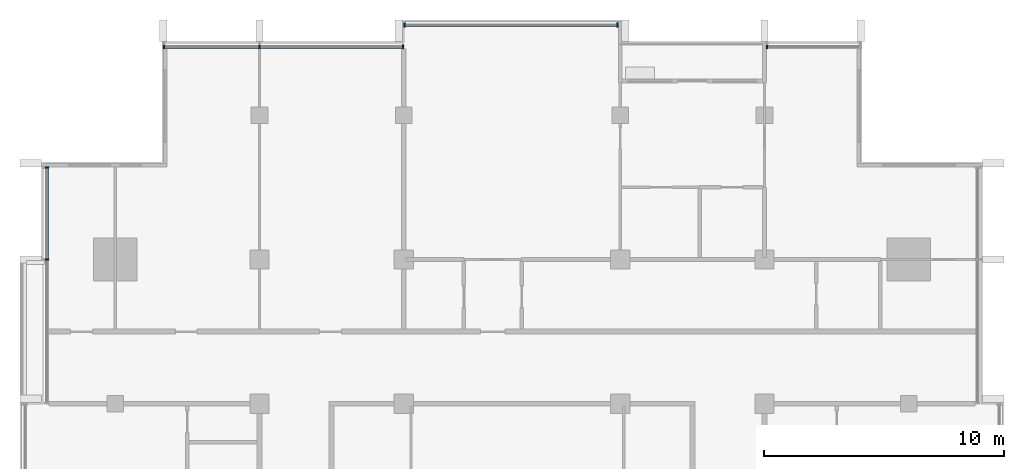
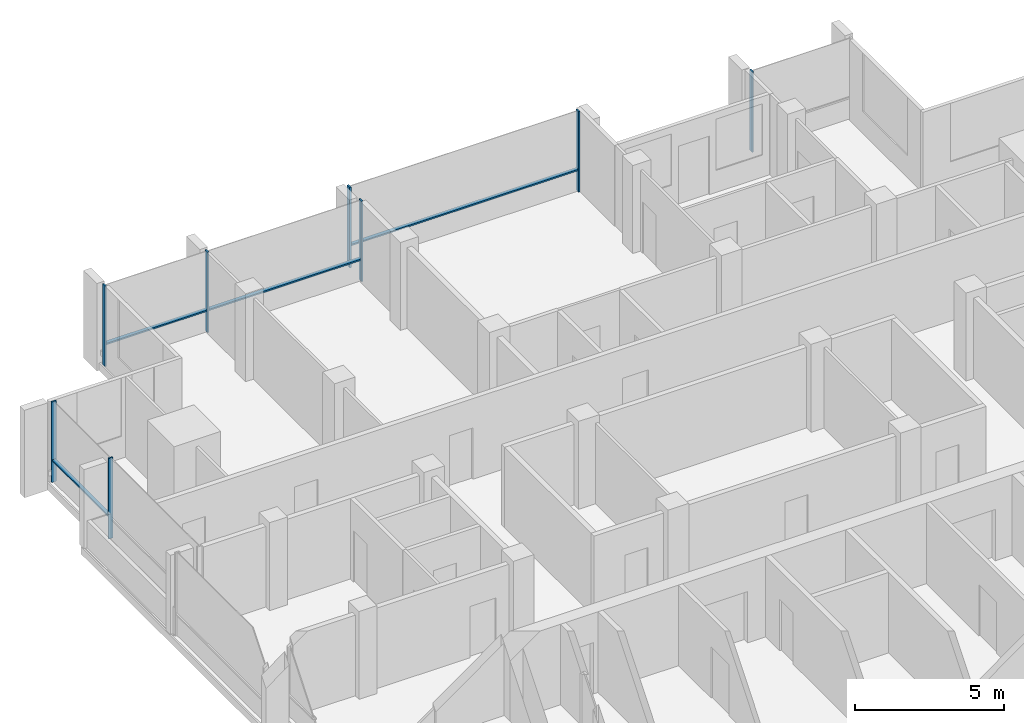
# One storey, part 4 of 16: 12 members, 4 elements without a shape of their own.
"""IFC4 building model written with IfcOpenShell, lengths in metres."""

from ifc_helpers import new_model, si_unit, direction, frame, origin, origin_2d, place, context, subcontext, project, spatial, rectangle, extrude, material, material_profile, profile_set, type_object, element, aggregate, save


model = new_model("IFC4")

# Units and contexts
model_context = context("Model", 3, precision=1e-05, world=origin(), true_north=direction((0.0, 1.0)))
body_context = subcontext(model_context, "Body", "Model", "MODEL_VIEW")
ifc_project = project(units=[si_unit("LENGTHUNIT", "METRE"), si_unit("AREAUNIT", "SQUARE_METRE"), si_unit("VOLUMEUNIT", "CUBIC_METRE"), si_unit("PLANEANGLEUNIT", "RADIAN"), si_unit("MASSUNIT", "GRAM", prefix="KILO")], contexts=[model_context])

# Site, building, storey
site_placement = place(None, origin())
site = spatial("IfcSite", under=ifc_project, at=site_placement, CompositionType="ELEMENT")
building_placement = place(site_placement, origin())
building = spatial("IfcBuilding", under=site, at=building_placement, Name="Finial Court Residences", CompositionType="ELEMENT")
storey_placement = place(building_placement, frame((0.0, 0.0, 262.699951171875)))
storey = spatial("IfcBuildingStorey", under=building, at=storey_placement, Name="L66", CompositionType="ELEMENT", Elevation=262.699951171875)

# Curtain wall, members
ifc_material = material(Name="Bronze anodised aluminium", Category="aluminium")
curtain_wall_type = type_object("IfcCurtainWallType", Name="Unitised curtain wall, upper zones", PredefinedType="NOTDEFINED", material=ifc_material)
curtain_wall_1_placement = place(storey_placement, origin())
curtain_wall_1 = element("IfcCurtainWall", 1, at=curtain_wall_1_placement, inside=storey, type_object=curtain_wall_type, Name="E-L66-CW-N1", PredefinedType="NOTDEFINED")
ifc_material_profile_1 = material_profile(ifc_material, rectangle(XDim=0.175048828125, YDim=0.06005859375, at=origin_2d()), Name="CW2 mullion 60 x 175")
ifc_profile_set_1 = profile_set([ifc_material_profile_1], Name="Bronze anodised aluminium")
member_type_1 = type_object("IfcMemberType", Name="CW2 mullion 60 x 175", PredefinedType="MULLION", material=ifc_profile_set_1)
member_1_placement = place(storey_placement, frame((-14.469970703125, 16.35009765625, 0.0), z_axis=(0.0, 0.0, 1.0), x_axis=(0.0, 1.0, 0.0)))
member_1 = element("IfcMember", 2, at=member_1_placement, type_object=member_type_1, Name="CW2 mullion 1", PredefinedType="MULLION", context=body_context, shape_type="SweptSolid", body=[
    extrude(rectangle(XDim=0.175048828125, YDim=0.06005859375, at=origin_2d()), origin(), (0.0, 0.0, 1.0), 3.300048828125),
])
member_2_placement = place(storey_placement, frame((-10.5, 16.35009765625, 0.0), z_axis=(0.0, 0.0, 1.0), x_axis=(0.0, 1.0, 0.0)))
member_2 = element("IfcMember", 3, at=member_2_placement, type_object=member_type_1, Name="CW2 mullion 2", PredefinedType="MULLION", context=body_context, shape_type="SweptSolid", body=[
    extrude(rectangle(XDim=0.175048828125, YDim=0.06005859375, at=origin_2d()), origin(), (0.0, 0.0, 1.0), 3.300048828125),
])
member_3_placement = place(storey_placement, frame((-4.530029296875, 16.35009765625, 0.0), z_axis=(0.0, 0.0, 1.0), x_axis=(0.0, 1.0, 0.0)))
member_3 = element("IfcMember", 4, at=member_3_placement, type_object=member_type_1, Name="CW2 mullion 3", PredefinedType="MULLION", context=body_context, shape_type="SweptSolid", body=[
    extrude(rectangle(XDim=0.175048828125, YDim=0.06005859375, at=origin_2d()), origin(), (0.0, 0.0, 1.0), 3.300048828125),
])

curtain_wall_2_placement = place(storey_placement, origin())
curtain_wall_2 = element("IfcCurtainWall", 5, at=curtain_wall_2_placement, inside=storey, type_object=curtain_wall_type, Name="E-L66-CW-N2", PredefinedType="NOTDEFINED")
member_4_placement = place(storey_placement, frame((-4.469970703125, 17.25, 0.0), z_axis=(0.0, 0.0, 1.0), x_axis=(0.0, 1.0, 0.0)))
member_4 = element("IfcMember", 6, at=member_4_placement, type_object=member_type_1, Name="CW2 mullion 1", PredefinedType="MULLION", context=body_context, shape_type="SweptSolid", body=[
    extrude(rectangle(XDim=0.175048828125, YDim=0.06005859375, at=origin_2d()), origin(), (0.0, 0.0, 1.0), 3.300048828125),
])
member_5_placement = place(storey_placement, frame((4.39501953125, 17.25, 0.0), z_axis=(0.0, 0.0, 1.0), x_axis=(0.0, 1.0, 0.0)))
member_5 = element("IfcMember", 7, at=member_5_placement, type_object=member_type_1, Name="CW2 mullion 2", PredefinedType="MULLION", context=body_context, shape_type="SweptSolid", body=[
    extrude(rectangle(XDim=0.175048828125, YDim=0.06005859375, at=origin_2d()), origin(), (0.0, 0.0, 1.0), 3.300048828125),
])

# Curtain wall, member
curtain_wall_3_placement = place(storey_placement, origin())
curtain_wall_3 = element("IfcCurtainWall", 8, at=curtain_wall_3_placement, inside=storey, type_object=curtain_wall_type, Name="E-L66-CW-N3", PredefinedType="NOTDEFINED")
member_6_placement = place(storey_placement, frame((10.60498046875, 16.35009765625, 0.0), z_axis=(0.0, 0.0, 1.0), x_axis=(0.0, 1.0, 0.0)))
member_6 = element("IfcMember", 9, at=member_6_placement, type_object=member_type_1, Name="CW2 mullion 1", PredefinedType="MULLION", context=body_context, shape_type="SweptSolid", body=[
    extrude(rectangle(XDim=0.175048828125, YDim=0.06005859375, at=origin_2d()), origin(), (0.0, 0.0, 1.0), 3.300048828125),
])
aggregate(curtain_wall_3, [member_6])

# Curtain wall, members
curtain_wall_4_placement = place(storey_placement, origin())
curtain_wall_4 = element("IfcCurtainWall", 10, at=curtain_wall_4_placement, inside=storey, type_object=curtain_wall_type, Name="E-L66-CW-W11", PredefinedType="NOTDEFINED")
member_7_placement = place(storey_placement, frame((-19.35009765625, 7.5, 0.0), z_axis=(0.0, 0.0, 1.0), x_axis=(-1.0, 0.0, 0.0)))
member_7 = element("IfcMember", 11, at=member_7_placement, type_object=member_type_1, Name="CW2 mullion 2", PredefinedType="MULLION", context=body_context, shape_type="SweptSolid", body=[
    extrude(rectangle(XDim=0.175048828125, YDim=0.06005859375, at=origin_2d()), origin(), (0.0, 0.0, 1.0), 3.300048828125),
])
member_8_placement = place(storey_placement, frame((-19.35009765625, 11.320068359375, 0.0), z_axis=(0.0, 0.0, 1.0), x_axis=(-1.0, 0.0, 0.0)))
member_8 = element("IfcMember", 12, at=member_8_placement, type_object=member_type_1, Name="CW2 mullion 3", PredefinedType="MULLION", context=body_context, shape_type="SweptSolid", body=[
    extrude(rectangle(XDim=0.175048828125, YDim=0.06005859375, at=origin_2d()), origin(), (0.0, 0.0, 1.0), 3.300048828125),
])

# Member
ifc_material_profile_2 = material_profile(ifc_material, rectangle(XDim=0.139892578125, YDim=0.06005859375, at=origin_2d()), Name="CW2 transom 60 x 140")
ifc_profile_set_2 = profile_set([ifc_material_profile_2], Name="Bronze anodised aluminium")
member_type_2 = type_object("IfcMemberType", Name="CW2 transom 60 x 140", PredefinedType="USERDEFINED", material=ifc_profile_set_2)
member_9_placement = place(storey_placement, frame((-14.43994140625, 16.35009765625, 0.900146484375), z_axis=(1.0, 0.0, 0.0), x_axis=(0.0, 1.0, 0.0)))
member_9 = element("IfcMember", 13, at=member_9_placement, type_object=member_type_2, Name="CW2 transom 1.1", ObjectType="TRANSOM", PredefinedType="USERDEFINED", context=body_context, shape_type="SweptSolid", body=[
    extrude(rectangle(XDim=0.139892578125, YDim=0.06005859375, at=origin_2d()), origin(), (0.0, 0.0, 1.0), 3.909912109375),
])

member_10_placement = place(storey_placement, frame((-10.469970703125, 16.35009765625, 0.900146484375), z_axis=(1.0, 0.0, 0.0), x_axis=(0.0, 1.0, 0.0)))
member_10 = element("IfcMember", 14, at=member_10_placement, type_object=member_type_2, Name="CW2 transom 2.1", ObjectType="TRANSOM", PredefinedType="USERDEFINED", context=body_context, shape_type="SweptSolid", body=[
    extrude(rectangle(XDim=0.139892578125, YDim=0.06005859375, at=origin_2d()), origin(), (0.0, 0.0, 1.0), 5.909912109375),
])

aggregate(curtain_wall_1, [member_1, member_2, member_3, member_9, member_10])

member_11_placement = place(storey_placement, frame((-4.43994140625, 17.25, 0.900146484375), z_axis=(1.0, 0.0, 0.0), x_axis=(0.0, 1.0, 0.0)))
member_11 = element("IfcMember", 15, at=member_11_placement, type_object=member_type_2, Name="CW2 transom 1.1", ObjectType="TRANSOM", PredefinedType="USERDEFINED", context=body_context, shape_type="SweptSolid", body=[
    extrude(rectangle(XDim=0.139892578125, YDim=0.06005859375, at=origin_2d()), origin(), (0.0, 0.0, 1.0), 8.804931640625),
])

aggregate(curtain_wall_2, [member_4, member_5, member_11])

member_12_placement = place(storey_placement, frame((-19.35009765625, 7.530029296875, 0.900146484375), z_axis=(0.0, 1.0, 0.0), x_axis=(-1.0, 0.0, 0.0)))
member_12 = element("IfcMember", 16, at=member_12_placement, type_object=member_type_2, Name="CW2 transom 2.1", ObjectType="TRANSOM", PredefinedType="USERDEFINED", context=body_context, shape_type="SweptSolid", body=[
    extrude(rectangle(XDim=0.139892578125, YDim=0.06005859375, at=origin_2d()), origin(), (0.0, 0.0, 1.0), 3.760009765625),
])

aggregate(curtain_wall_4, [member_7, member_8, member_12])

save(model, "model.ifc")
